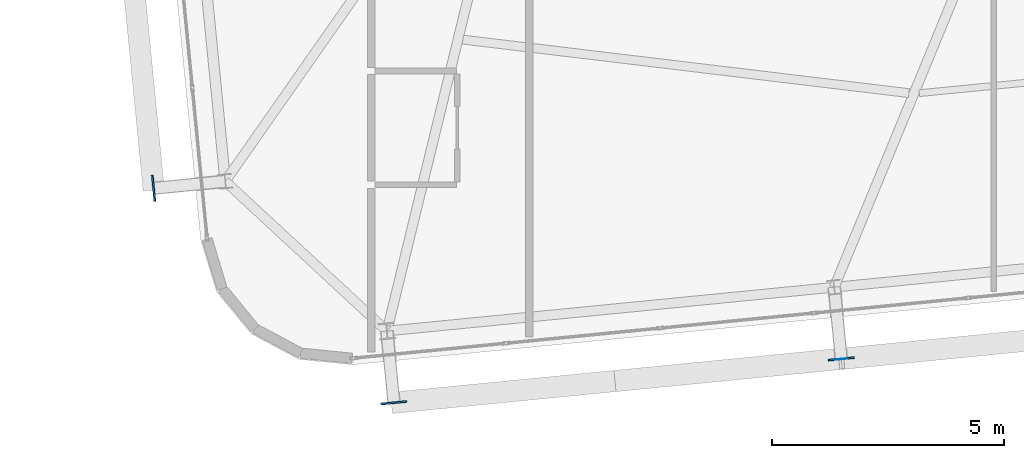
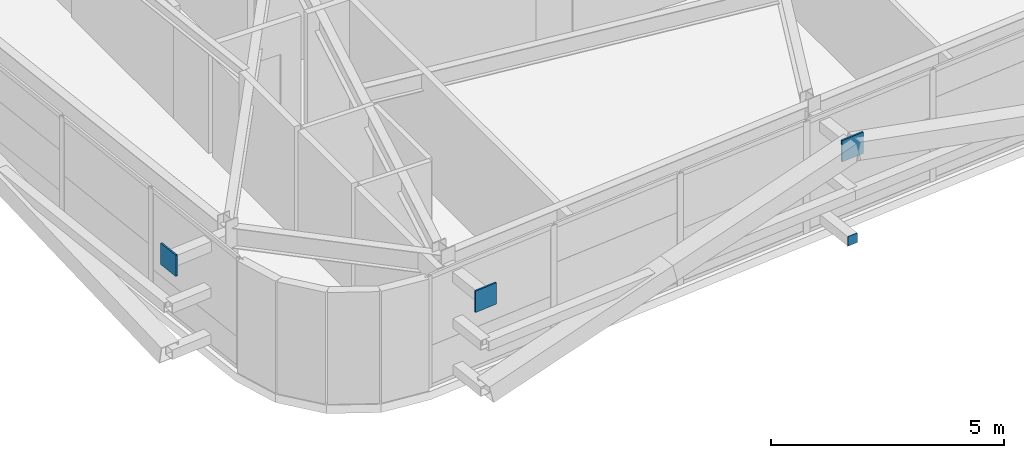
# One storey, part 38 of 52: 4 plates.
"""IFC4 building model written with IfcOpenShell, lengths in metres."""

from ifc_helpers import new_model, si_unit, direction, frame, origin, origin_2d, place, context, subcontext, project, spatial, rectangle, extrude, source, transform, mapped, material, layer, layer_set, type_object, element, save


model = new_model("IFC4")

# Units and contexts
model_context = context("Model", 3, precision=1e-05, world=origin(), true_north=direction((0.0, 1.0)))
body_context = subcontext(model_context, "Body", "Model", "MODEL_VIEW")
ifc_project = project(units=[si_unit("LENGTHUNIT", "METRE"), si_unit("AREAUNIT", "SQUARE_METRE"), si_unit("VOLUMEUNIT", "CUBIC_METRE"), si_unit("PLANEANGLEUNIT", "RADIAN"), si_unit("MASSUNIT", "GRAM", prefix="KILO")], contexts=[model_context])

# Site, building, storey
site_placement = place(None, origin())
site = spatial("IfcSite", under=ifc_project, at=site_placement, CompositionType="ELEMENT")
building_placement = place(site_placement, origin())
building = spatial("IfcBuilding", under=site, at=building_placement, Name="Taldren Reach Tower", CompositionType="ELEMENT")
storey_placement = place(building_placement, frame((0.0, 0.0, 74.550048828125)))
storey = spatial("IfcBuildingStorey", under=building, at=storey_placement, Name="L22", CompositionType="ELEMENT", Elevation=74.550048828125)

# Plates
ifc_material_1 = material(Name="Steel Gr 450 (C450L0)", Category="steel")
ifc_layer_1 = layer(ifc_material_1, 0.0400390625)
ifc_layer_set_1 = layer_set([ifc_layer_1], Name="Steel Gr 450 (C450L0)")
plate_type_1 = type_object("IfcPlateType", Name="PL-GUSSET-40", PredefinedType="SHEET", material=ifc_layer_set_1)
shared_shape_1 = source(origin(), body_context, "Body", "SweptSolid", [
    extrude(rectangle(XDim=0.56005859375, YDim=0.0400390625, at=origin_2d()), origin(), (0.0, 0.0, 1.0), 0.56005859375),
])
for number, where, z_axis, x_axis, name in (
    (1, (15.08544921875, -1.62255859375, 2.369873046875), (0.0, 0.0, 1.0), (0.995227399982, 0.097582899759, 0.0), "Exoskeleton star-node gusset plate B2-S1 L22"),
    (2, (24.71923828125, -0.677978515625, 2.369873046875), (0.0, 0.0, 1.0), (0.995227399982, 0.097582899759, 0.0), "Exoskeleton star-node gusset plate B2-S2 L22"),
    (3, (9.91015625, 2.99462890625, 2.369873046875), (0.0, 0.0, 1.0), (-0.097582899759, 0.995227399982, 0.0), "Exoskeleton star-node gusset plate B2-W1 L22"),
):
    element("IfcPlate", number, at=place(storey_placement, frame(where, z_axis=z_axis, x_axis=x_axis)), inside=storey, type_object=plate_type_1, Name=name, PredefinedType="SHEET", context=body_context, shape_type="MappedRepresentation", body=[
        mapped(shared_shape_1, transform((0.0, 0.0, 0.0), scale=1.0)),
    ])
ifc_material_2 = material(Name="Steel Gr 350 (C350L0)", Category="steel")
ifc_layer_2 = layer(ifc_material_2, 0.011962890625)
ifc_layer_set_2 = layer_set([ifc_layer_2], Name="Steel Gr 350 (C350L0)")
plate_type_2 = type_object("IfcPlateType", Name="PL-CAP-250", PredefinedType="SHEET", material=ifc_layer_set_2)
shared_shape_2 = source(origin(), body_context, "Body", "SweptSolid", [
    extrude(rectangle(XDim=0.25, YDim=0.011962890625, at=origin_2d()), origin(), (0.0, 0.0, 1.0), 0.25),
])
plate_placement = place(storey_placement, frame((24.7197265625, -0.683837890625, 0.094970703125), z_axis=(0.0, 0.0, 1.0), x_axis=(0.995227399982, 0.097582899759, 0.0)))
element("IfcPlate", 4, at=plate_placement, inside=storey, type_object=plate_type_2, Name="Tie strut end cap plate B2-S2 L22", PredefinedType="SHEET", context=body_context, shape_type="MappedRepresentation", body=[
    mapped(shared_shape_2, transform((0.0, 0.0, 0.0), scale=1.0)),
])

save(model, "model.ifc")
